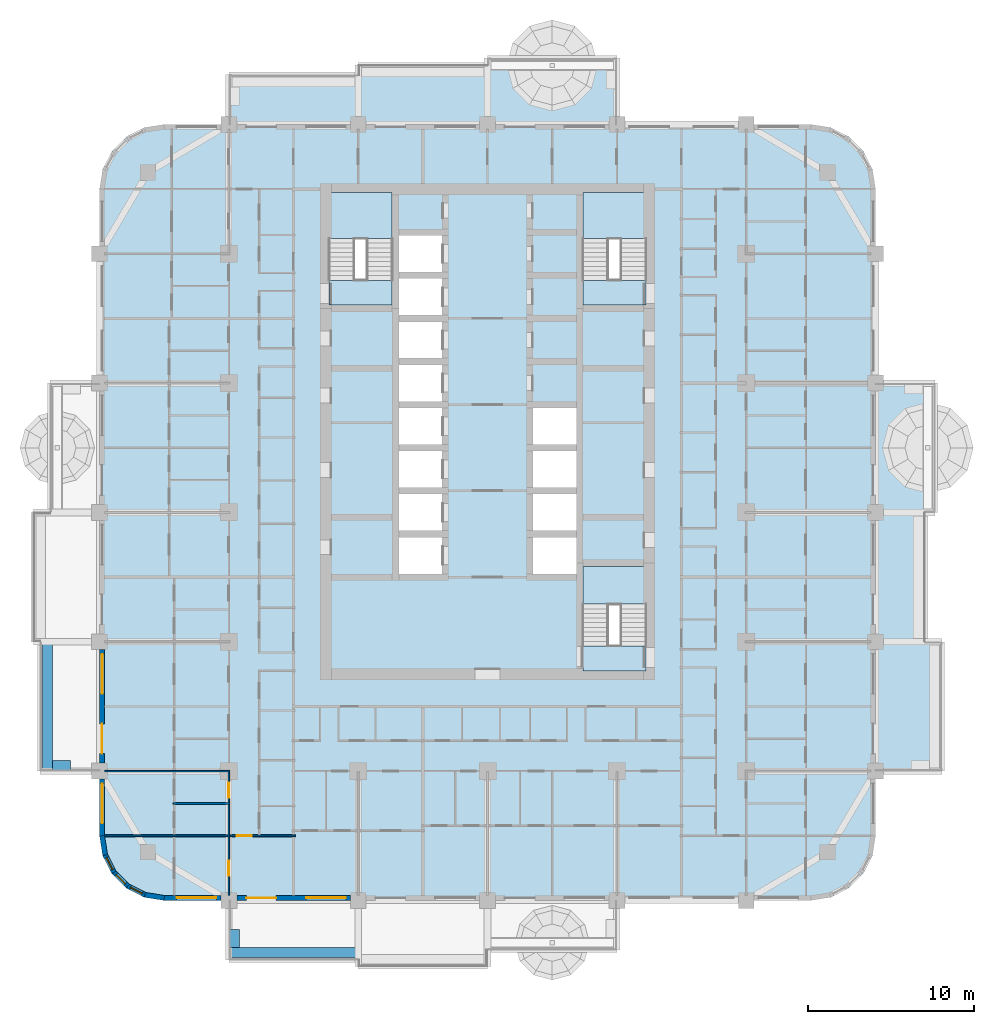
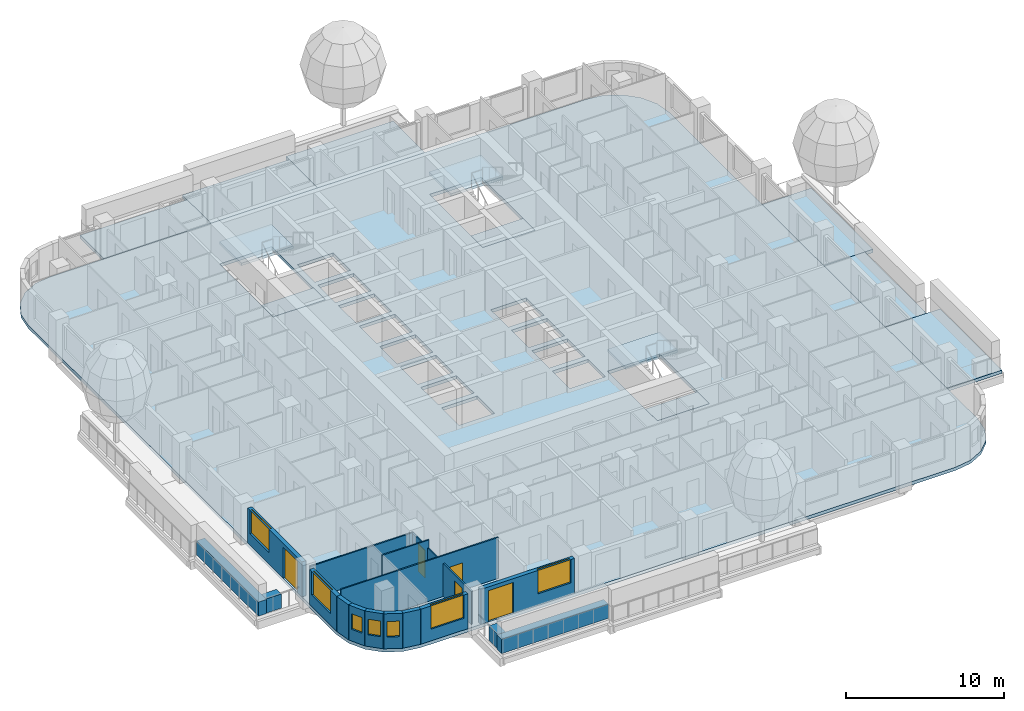
# One storey, part 2 of 18: 17 walls, 13 slabs, 7 windows, 5 doors, 12 openings, 3 elements without a shape of their own.
"""IFC4 building model written with IfcOpenShell, lengths in metres."""

import ifcopenshell
import ifcopenshell.guid

model = None  # the IFC model being written
_history = None  # IfcOwnerHistory: only IFC2X3 demands one
_inside = {}  # id of a spatial element -> (the spatial element, [elements in it])
_under = {}  # id of a project, library or spatial element -> (it, [spatial elements below it])
_declared = {}  # id of a project -> (the project, [libraries it declares])
_typed = {}  # id of a type object -> (the type object, [elements of that type])
_made_of = {}  # id of a material, layer set ... -> (it, [elements and type objects made of it])


def new_model(schema):
    """Start an empty IFC model of exactly this schema.

    Asked for "IFC4X3", IfcOpenShell would pick the latest addendum, in which some entities
    have other attributes; the version numbers below select the first issue.
    IFC2X3 requires an IfcOwnerHistory on every rooted entity: one is made here for all.
    """
    global model, _history
    if schema == "IFC4X3":
        model = ifcopenshell.file(schema_version=(4, 3, 0, 0))
    else:
        model = ifcopenshell.file(schema=schema)
    _inside.clear()
    _under.clear()
    _declared.clear()
    _typed.clear()
    _made_of.clear()
    _history = None
    if model.schema == "IFC2X3":
        org = make("IfcOrganization", Name="unknown")
        user = make(
            "IfcPersonAndOrganization",
            ThePerson=make("IfcPerson", FamilyName="unknown"),
            TheOrganization=org,
        )
        app = make(
            "IfcApplication",
            ApplicationDeveloper=org,
            Version="unknown",
            ApplicationFullName="unknown",
            ApplicationIdentifier="unknown",
        )
        _history = make(
            "IfcOwnerHistory",
            OwningUser=user,
            OwningApplication=app,
            ChangeAction="ADDED",
            CreationDate=0,
        )
    return model


def make(cls, **values):
    """One entity of the class cls with the attributes given. An attribute that is None is left unset."""
    return model.create_entity(
        cls, **{name: value for name, value in values.items() if value is not None}
    )


def rooted(cls, **values):
    """An entity with a GlobalId (a new one), such as an element, a storey or a relation."""
    return make(cls, GlobalId=ifcopenshell.guid.new(), OwnerHistory=_history, **values)


def si_unit(unit_type, name, prefix=None):
    """IfcSIUnit, for example si_unit("LENGTHUNIT", "METRE", prefix="MILLI")."""
    return make("IfcSIUnit", UnitType=unit_type, Prefix=prefix, Name=name)


def assignment(units):
    """IfcUnitAssignment: the units of a project."""
    return None if units is None else make("IfcUnitAssignment", Units=units)


def point(xyz):
    """IfcCartesianPoint."""
    return None if xyz is None else make("IfcCartesianPoint", Coordinates=xyz)


def direction(xyz):
    """IfcDirection."""
    return None if xyz is None else make("IfcDirection", DirectionRatios=xyz)


def frame(location, z_axis=None, x_axis=None):
    """IfcAxis2Placement3D, a coordinate frame: its origin and axes. An axis left out is left unset."""
    return make(
        "IfcAxis2Placement3D",
        Location=point(location),
        Axis=direction(z_axis),
        RefDirection=direction(x_axis),
    )


def frame_2d(location, x_axis=None):
    """IfcAxis2Placement2D, a coordinate frame in the plane: its origin and x axis."""
    return make(
        "IfcAxis2Placement2D", Location=point(location), RefDirection=direction(x_axis)
    )


def origin():
    """The frame at (0, 0, 0) with its axes left unset."""
    return frame((0.0, 0.0, 0.0))


def place(relative_to, where):
    """IfcLocalPlacement: puts the frame where relative to a parent placement (None: the world)."""
    return make(
        "IfcLocalPlacement", PlacementRelTo=relative_to, RelativePlacement=where
    )


def context(
    kind, dimensions, precision=None, world=None, true_north=None, identifier=None
):
    """IfcGeometricRepresentationContext, for example the 3D "Model" context."""
    return make(
        "IfcGeometricRepresentationContext",
        ContextIdentifier=identifier,
        ContextType=kind,
        CoordinateSpaceDimension=dimensions,
        Precision=precision,
        WorldCoordinateSystem=world,
        TrueNorth=true_north,
    )


def subcontext(parent, identifier, kind, view, scale=None):
    """IfcGeometricRepresentationSubContext, for example "Body" below "Model"."""
    return make(
        "IfcGeometricRepresentationSubContext",
        ContextIdentifier=identifier,
        ContextType=kind,
        ParentContext=parent,
        TargetScale=scale,
        TargetView=view,
    )


def project(units=None, contexts=None):
    """IfcProject with its units and contexts."""
    return rooted(
        "IfcProject",
        Name="project",
        RepresentationContexts=contexts,
        UnitsInContext=assignment(units),
    )


def spatial(cls, under=None, at=None, **own):
    """A site, building, storey or space (cls), placed at a placement, below another one or the project."""
    s = rooted(cls, ObjectPlacement=at, **own)
    if under is not None:
        _under.setdefault(under.id(), (under, []))[1].append(s)
    return s


def polyline(points):
    """IfcPolyline through the points."""
    return make("IfcPolyline", Points=[point(p) for p in points])


def profile(cls, at=None, kind="AREA", **sizes):
    """A parametric profile (cls). Its sizes go by their IFC names, for example OverallWidth=200.0."""
    return make(cls, ProfileType=kind, Position=at, **sizes)


def rectangle(**sizes):
    """IfcRectangleProfileDef."""
    return profile("IfcRectangleProfileDef", **sizes)


def outline(outer, holes=None, kind="AREA"):
    """IfcArbitraryClosedProfileDef: a profile drawn as a closed curve; with holes, ...WithVoids."""
    if holes is None:
        return make("IfcArbitraryClosedProfileDef", ProfileType=kind, OuterCurve=outer)
    return make(
        "IfcArbitraryProfileDefWithVoids",
        ProfileType=kind,
        OuterCurve=outer,
        InnerCurves=holes,
    )


def extrude(swept, where, along, depth):
    """IfcExtrudedAreaSolid: the profile swept, set in the frame where, extruded along a direction by depth."""
    return make(
        "IfcExtrudedAreaSolid",
        SweptArea=swept,
        Position=where,
        ExtrudedDirection=direction(along),
        Depth=depth,
    )


def shape(context_of_items, identifier, shape_type, items):
    """IfcShapeRepresentation: the items that make up one representation, for example the "Body"."""
    return make(
        "IfcShapeRepresentation",
        ContextOfItems=context_of_items,
        RepresentationIdentifier=identifier,
        RepresentationType=shape_type,
        Items=items,
    )


def material(Name=None, Category=None):
    """IfcMaterial."""
    return make("IfcMaterial", Name=Name, Category=Category)


def layer(
    of_material, thickness, ventilated=None, Name=None, Category=None, Priority=None
):
    """IfcMaterialLayer: one layer of a wall or slab, of a material (None: an air gap)."""
    return make(
        "IfcMaterialLayer",
        Material=of_material,
        LayerThickness=thickness,
        IsVentilated=ventilated,
        Name=Name,
        Category=Category,
        Priority=Priority,
    )


def layer_set(layers, Name=None):
    """IfcMaterialLayerSet."""
    return make("IfcMaterialLayerSet", MaterialLayers=layers, LayerSetName=Name)


def made_of(thing, what):
    """Note that an element or type object is made of a material, layer set ...; save() writes the relation."""
    if what is not None:
        _made_of.setdefault(what.id(), (what, []))[1].append(thing)
    return thing


def type_object(cls, material=None, **own):
    """A type object (cls), such as IfcWallType, which elements share."""
    return made_of(rooted(cls, **own), material)


def element(
    cls,
    number,
    at=None,
    inside=None,
    cuts=None,
    type_object=None,
    material=None,
    context=None,
    identifier="Body",
    shape_type=None,
    held_by="IfcProductDefinitionShape",
    body=None,
    shapes=None,
    **own,
):
    """One element of the class cls, such as IfcWall. Its Tag is "e" and its number.

    at: its placement. inside: the storey or other place that contains it. cuts: it is an
    opening in that element (IfcRelVoidsElement). A single representation is given by context,
    identifier, shape_type and body (its items); several are given by shapes. held_by: the class
    of the entity that holds the representations. save() writes the other relations.
    """
    e = rooted(cls, Tag="e%d" % number, ObjectPlacement=at, **own)
    if body is not None:
        shapes = [shape(context, identifier, shape_type, body)]
    if shapes is not None:
        e.Representation = make(held_by, Representations=shapes)
    if inside is not None:
        _inside.setdefault(inside.id(), (inside, []))[1].append(e)
    if cuts is not None:
        rooted(
            "IfcRelVoidsElement", RelatingBuildingElement=cuts, RelatedOpeningElement=e
        )
    if type_object is not None:
        _typed.setdefault(type_object.id(), (type_object, []))[1].append(e)
    return made_of(e, material)


def fill(opening, filler):
    """IfcRelFillsElement: the door or window that sits in an opening."""
    return rooted(
        "IfcRelFillsElement",
        RelatingOpeningElement=opening,
        RelatedBuildingElement=filler,
    )


def aggregate(whole, parts):
    """IfcRelAggregates: a whole, such as a stair, and the parts it consists of."""
    return rooted("IfcRelAggregates", RelatingObject=whole, RelatedObjects=parts)


def save(model, path):
    """Write the relations noted so far, then the file.

    IfcRelAggregates (storeys below a building ...), IfcRelContainedInSpatialStructure (elements
    in a storey), IfcRelDefinesByType, IfcRelAssociatesMaterial and IfcRelDeclares: one each for
    every whole, place, type object, material and project.
    """
    for whole, parts in _under.values():
        aggregate(whole, parts)
    for where, things in _inside.values():
        rooted(
            "IfcRelContainedInSpatialStructure",
            RelatedElements=things,
            RelatingStructure=where,
        )
    for kind, things in _typed.values():
        rooted("IfcRelDefinesByType", RelatedObjects=things, RelatingType=kind)
    for what, things in _made_of.values():
        rooted("IfcRelAssociatesMaterial", RelatedObjects=things, RelatingMaterial=what)
    for by, libraries in _declared.values():
        rooted("IfcRelDeclares", RelatingContext=by, RelatedDefinitions=libraries)
    model.write(path)


model = new_model("IFC4")

# Units and contexts
model_context = context("Model", 3, precision=1e-05, world=origin(), true_north=direction((0.0, 1.0)))
body_context = subcontext(model_context, "Body", "Model", "MODEL_VIEW")
ifc_project = project(units=[si_unit("LENGTHUNIT", "METRE"), si_unit("AREAUNIT", "SQUARE_METRE"), si_unit("VOLUMEUNIT", "CUBIC_METRE"), si_unit("PLANEANGLEUNIT", "RADIAN"), si_unit("MASSUNIT", "GRAM", prefix="KILO")], contexts=[model_context])

# Site, building, storey
site_placement = place(None, origin())
site = spatial("IfcSite", under=ifc_project, at=site_placement, CompositionType="ELEMENT")
building_placement = place(site_placement, origin())
building = spatial("IfcBuilding", under=site, at=building_placement, Name="Ludao Terraces", CompositionType="ELEMENT")
storey_placement = place(building_placement, frame((0.0, 0.0, 58.0)))
storey = spatial("IfcBuildingStorey", under=building, at=storey_placement, Name="L15", CompositionType="ELEMENT", Elevation=58.0)

# Slabs
ifc_material_1 = material(Name="Concrete C40", Category="concrete")
ifc_layer_1 = layer(ifc_material_1, 0.25)
ifc_layer_set_1 = layer_set([ifc_layer_1], Name="Balcony slab 250 C40")
slab_type_1 = type_object("IfcSlabType", Name="Balcony slab 250 C40", PredefinedType="USERDEFINED", material=ifc_layer_set_1)
slab_1_placement = place(storey_placement, frame((0.0, 0.0, -0.25)))
element("IfcSlab", 1, at=slab_1_placement, inside=storey, type_object=slab_type_1, Name="Balcony L15 E1", ObjectType="BALCONY", PredefinedType="USERDEFINED", context=body_context, shape_type="SweptSolid", body=[
    extrude(outline(polyline([(108.39990234375, 49.39990234375), (112.39990234375, 49.39990234375), (112.39990234375, 57.199951171875), (108.39990234375, 57.199951171875), (108.39990234375, 49.39990234375)])), origin(), (0.0, 0.0, 1.0), 0.25),
])
slab_2_placement = place(storey_placement, frame((0.0, 0.0, -0.25)))
element("IfcSlab", 2, at=slab_2_placement, inside=storey, type_object=slab_type_1, Name="Balcony L15 E2", ObjectType="BALCONY", PredefinedType="USERDEFINED", context=body_context, shape_type="SweptSolid", body=[
    extrude(outline(polyline([(108.39990234375, 57.199951171875), (111.39990234375, 57.199951171875), (111.39990234375, 65.0), (108.39990234375, 65.0), (108.39990234375, 57.199951171875)])), origin(), (0.0, 0.0, 1.0), 0.25),
])
slab_3_placement = place(storey_placement, frame((0.0, 0.0, -0.25)))
element("IfcSlab", 3, at=slab_3_placement, inside=storey, type_object=slab_type_1, Name="Balcony L15 E3", ObjectType="BALCONY", PredefinedType="USERDEFINED", context=body_context, shape_type="SweptSolid", body=[
    extrude(outline(polyline([(108.39990234375, 65.0), (112.0, 65.0), (112.0, 72.800048828125), (108.39990234375, 72.800048828125), (108.39990234375, 65.0)])), origin(), (0.0, 0.0, 1.0), 0.25),
])
slab_4_placement = place(storey_placement, frame((0.0, 0.0, -0.25)))
element("IfcSlab", 4, at=slab_4_placement, inside=storey, type_object=slab_type_1, Name="Balcony L15 N1", ObjectType="BALCONY", PredefinedType="USERDEFINED", context=body_context, shape_type="SweptSolid", body=[
    extrude(outline(polyline([(69.39990234375, 88.39990234375), (77.199951171875, 88.39990234375), (77.199951171875, 91.39990234375), (69.39990234375, 91.39990234375), (69.39990234375, 88.39990234375)])), origin(), (0.0, 0.0, 1.0), 0.25),
])
slab_5_placement = place(storey_placement, frame((0.0, 0.0, -0.25)))
element("IfcSlab", 5, at=slab_5_placement, inside=storey, type_object=slab_type_1, Name="Balcony L15 N2", ObjectType="BALCONY", PredefinedType="USERDEFINED", context=body_context, shape_type="SweptSolid", body=[
    extrude(outline(polyline([(77.199951171875, 88.39990234375), (85.0, 88.39990234375), (85.0, 92.0), (77.199951171875, 92.0), (77.199951171875, 88.39990234375)])), origin(), (0.0, 0.0, 1.0), 0.25),
])
slab_6_placement = place(storey_placement, frame((0.0, 0.0, -0.25)))
element("IfcSlab", 6, at=slab_6_placement, inside=storey, type_object=slab_type_1, Name="Balcony L15 N3", ObjectType="BALCONY", PredefinedType="USERDEFINED", context=body_context, shape_type="SweptSolid", body=[
    extrude(outline(polyline([(85.0, 88.39990234375), (92.800048828125, 88.39990234375), (92.800048828125, 92.39990234375), (85.0, 92.39990234375), (85.0, 88.39990234375)])), origin(), (0.0, 0.0, 1.0), 0.25),
])
ifc_layer_2 = layer(ifc_material_1, 0.25)
ifc_layer_set_2 = layer_set([ifc_layer_2], Name="Floor slab 250 C40")
slab_type_2 = type_object("IfcSlabType", Name="Floor slab 250 C40", PredefinedType="FLOOR", material=ifc_layer_set_2)
slab_7_placement = place(storey_placement, frame((0.0, 0.0, -0.25)))
element("IfcSlab", 7, at=slab_7_placement, inside=storey, type_object=slab_type_2, Name="Slab L15", PredefinedType="FLOOR", context=body_context, shape_type="SweptSolid", body=[
    extrude(outline(polyline([(104.5, 41.60009765625), (105.705078125, 41.790771484375), (106.79248046875, 42.3447265625), (107.6552734375, 43.20751953125), (108.209228515625, 44.294921875), (108.39990234375, 45.5), (108.39990234375, 84.5), (108.209228515625, 85.705078125), (107.6552734375, 86.79248046875), (106.79248046875, 87.6552734375), (105.705078125, 88.209228515625), (104.5, 88.39990234375), (65.5, 88.39990234375), (64.294921875, 88.209228515625), (63.20751953125, 87.6552734375), (62.3447265625, 86.79248046875), (61.790771484375, 85.705078125), (61.60009765625, 84.5), (61.60009765625, 45.5), (61.790771484375, 44.294921875), (62.3447265625, 43.20751953125), (63.20751953125, 42.3447265625), (64.294921875, 41.790771484375), (65.5, 41.60009765625), (104.5, 41.60009765625)]), holes=[polyline([(79.64990234375, 61.300048828125), (82.25, 61.300048828125), (82.25, 63.5), (79.64990234375, 63.5), (79.64990234375, 61.300048828125)]), polyline([(79.64990234375, 63.89990234375), (82.25, 63.89990234375), (82.25, 66.10009765625), (79.64990234375, 66.10009765625), (79.64990234375, 63.89990234375)]), polyline([(79.64990234375, 66.5), (82.25, 66.5), (82.25, 68.699951171875), (79.64990234375, 68.699951171875), (79.64990234375, 66.5)]), polyline([(79.64990234375, 69.10009765625), (82.25, 69.10009765625), (82.25, 71.300048828125), (79.64990234375, 71.300048828125), (79.64990234375, 69.10009765625)]), polyline([(79.64990234375, 71.699951171875), (82.25, 71.699951171875), (82.25, 73.89990234375), (79.64990234375, 73.89990234375), (79.64990234375, 71.699951171875)]), polyline([(79.64990234375, 74.300048828125), (82.25, 74.300048828125), (82.25, 76.5), (79.64990234375, 76.5), (79.64990234375, 74.300048828125)]), polyline([(79.64990234375, 76.89990234375), (82.25, 76.89990234375), (82.25, 79.10009765625), (79.64990234375, 79.10009765625), (79.64990234375, 76.89990234375)]), polyline([(79.64990234375, 79.5), (82.25, 79.5), (82.25, 81.699951171875), (79.64990234375, 81.699951171875), (79.64990234375, 79.5)]), polyline([(87.75, 61.300048828125), (90.35009765625, 61.300048828125), (90.35009765625, 63.5), (87.75, 63.5), (87.75, 61.300048828125)]), polyline([(87.75, 63.89990234375), (90.35009765625, 63.89990234375), (90.35009765625, 66.10009765625), (87.75, 66.10009765625), (87.75, 63.89990234375)]), polyline([(87.75, 66.5), (90.35009765625, 66.5), (90.35009765625, 68.699951171875), (87.75, 68.699951171875), (87.75, 66.5)]), polyline([(87.75, 69.10009765625), (90.35009765625, 69.10009765625), (90.35009765625, 71.300048828125), (87.75, 71.300048828125), (87.75, 69.10009765625)]), polyline([(75.449951171875, 77.5), (79.25, 77.5), (79.25, 84.239990234375), (75.449951171875, 84.239990234375), (75.449951171875, 77.5)]), polyline([(90.75, 77.5), (94.550048828125, 77.5), (94.550048828125, 84.239990234375), (90.75, 84.239990234375), (90.75, 77.5)]), polyline([(90.75, 55.449951171875), (94.550048828125, 55.449951171875), (94.550048828125, 61.75), (90.75, 61.75), (90.75, 55.449951171875)])]), origin(), (0.0, 0.0, 1.0), 0.25),
])

# Stair, slabs
stair_type = type_object("IfcStairType", Name="INT Stair", PredefinedType="HALF_TURN_STAIR", material=ifc_material_1)
stair_1_placement = place(storey_placement, origin())
stair_1 = element("IfcStair", 8, at=stair_1_placement, inside=storey, type_object=stair_type, Name="EXIT STAIR 1", PredefinedType="HALF_TURN_STAIR")
ifc_layer_3 = layer(ifc_material_1, 0.199951171875)
ifc_layer_set_3 = layer_set([ifc_layer_3], Name="INT Stair landing 200")
slab_type_3 = type_object("IfcSlabType", Name="INT Stair landing 200", PredefinedType="LANDING", material=ifc_layer_set_3)
slab_8_placement = place(storey_placement, frame((0.0, 0.0, 1.5)))
slab_8 = element("IfcSlab", 9, at=slab_8_placement, type_object=slab_type_3, Name="ST1 landing 1", PredefinedType="LANDING", context=body_context, shape_type="SweptSolid", body=[
    extrude(outline(polyline([(75.449951171875, 81.52001953125), (79.25, 81.52001953125), (79.25, 84.300048828125), (75.449951171875, 84.300048828125), (75.449951171875, 81.52001953125)])), origin(), (0.0, 0.0, 1.0), 0.199951171875),
])
slab_9_placement = place(storey_placement, frame((0.0, 0.0, -0.199951171875)))
slab_9 = element("IfcSlab", 10, at=slab_9_placement, type_object=slab_type_3, Name="ST1 landing 2", PredefinedType="LANDING", context=body_context, shape_type="SweptSolid", body=[
    extrude(outline(polyline([(75.449951171875, 77.5), (79.25, 77.5), (79.25, 79.0), (75.449951171875, 79.0), (75.449951171875, 77.5)])), origin(), (0.0, 0.0, 1.0), 0.199951171875),
])
aggregate(stair_1, [slab_8, slab_9])

stair_2_placement = place(storey_placement, origin())
stair_2 = element("IfcStair", 11, at=stair_2_placement, inside=storey, type_object=stair_type, Name="EXIT STAIR 2", PredefinedType="HALF_TURN_STAIR")
slab_10_placement = place(storey_placement, frame((0.0, 0.0, 1.5)))
slab_10 = element("IfcSlab", 12, at=slab_10_placement, type_object=slab_type_3, Name="ST2 landing 1", PredefinedType="LANDING", context=body_context, shape_type="SweptSolid", body=[
    extrude(outline(polyline([(90.75, 81.52001953125), (94.550048828125, 81.52001953125), (94.550048828125, 84.300048828125), (90.75, 84.300048828125), (90.75, 81.52001953125)])), origin(), (0.0, 0.0, 1.0), 0.199951171875),
])
slab_11_placement = place(storey_placement, frame((0.0, 0.0, -0.199951171875)))
slab_11 = element("IfcSlab", 13, at=slab_11_placement, type_object=slab_type_3, Name="ST2 landing 2", PredefinedType="LANDING", context=body_context, shape_type="SweptSolid", body=[
    extrude(outline(polyline([(90.75, 77.5), (94.550048828125, 77.5), (94.550048828125, 79.0), (90.75, 79.0), (90.75, 77.5)])), origin(), (0.0, 0.0, 1.0), 0.199951171875),
])
aggregate(stair_2, [slab_10, slab_11])

stair_3_placement = place(storey_placement, origin())
stair_3 = element("IfcStair", 14, at=stair_3_placement, inside=storey, type_object=stair_type, Name="EXIT STAIR 3", PredefinedType="HALF_TURN_STAIR")
slab_12_placement = place(storey_placement, frame((0.0, 0.0, 1.5)))
slab_12 = element("IfcSlab", 15, at=slab_12_placement, type_object=slab_type_3, Name="ST3 landing 1", PredefinedType="LANDING", context=body_context, shape_type="SweptSolid", body=[
    extrude(outline(polyline([(90.75, 59.469970703125), (94.550048828125, 59.469970703125), (94.550048828125, 61.75), (90.75, 61.75), (90.75, 59.469970703125)])), origin(), (0.0, 0.0, 1.0), 0.199951171875),
])
slab_13_placement = place(storey_placement, frame((0.0, 0.0, -0.199951171875)))
slab_13 = element("IfcSlab", 16, at=slab_13_placement, type_object=slab_type_3, Name="ST3 landing 2", PredefinedType="LANDING", context=body_context, shape_type="SweptSolid", body=[
    extrude(outline(polyline([(90.75, 55.449951171875), (94.550048828125, 55.449951171875), (94.550048828125, 56.949951171875), (90.75, 56.949951171875), (90.75, 55.449951171875)])), origin(), (0.0, 0.0, 1.0), 0.199951171875),
])
aggregate(stair_3, [slab_12, slab_13])

# Walls
ifc_layer_4 = layer(ifc_material_1, 0.60009765625)
ifc_layer_set_4 = layer_set([ifc_layer_4], Name="ENV Planter trough 600")
wall_type_1 = type_object("IfcWallType", Name="ENV Planter trough 600", PredefinedType="USERDEFINED", material=ifc_layer_set_4)
wall_1_placement = place(storey_placement, frame((69.39990234375, 38.449951171875, 0.0), z_axis=(0.0, 0.0, 1.0), x_axis=(1.0, 0.0, 0.0)))
element("IfcWall", 17, at=wall_1_placement, inside=storey, type_object=wall_type_1, Name="PL-L15-S1", ObjectType="PLANTER", PredefinedType="USERDEFINED", context=body_context, shape_type="SweptSolid", body=[
    extrude(rectangle(XDim=7.800048828125, YDim=0.60009765625, at=frame_2d((3.89990234375, 0.0))), origin(), (0.0, 0.0, 1.0), 1.10009765625),
])
wall_2_placement = place(storey_placement, frame((69.75, 38.75, 0.0), z_axis=(0.0, 0.0, 1.0), x_axis=(0.0, 1.0, 0.0)))
element("IfcWall", 18, at=wall_2_placement, inside=storey, type_object=wall_type_1, Name="PL-L15-S1-SA", ObjectType="PLANTER", PredefinedType="USERDEFINED", context=body_context, shape_type="SweptSolid", body=[
    extrude(rectangle(XDim=1.10009765625, YDim=0.60009765625, at=frame_2d((0.550048828125, 0.0))), origin(), (0.0, 0.0, 1.0), 1.10009765625),
])
wall_3_placement = place(storey_placement, frame((58.449951171875, 49.39990234375, 0.0), z_axis=(0.0, 0.0, 1.0), x_axis=(0.0, 1.0, 0.0)))
element("IfcWall", 19, at=wall_3_placement, inside=storey, type_object=wall_type_1, Name="PL-L15-W1", ObjectType="PLANTER", PredefinedType="USERDEFINED", context=body_context, shape_type="SweptSolid", body=[
    extrude(rectangle(XDim=7.800048828125, YDim=0.60009765625, at=frame_2d((3.89990234375, 0.0))), origin(), (0.0, 0.0, 1.0), 1.10009765625),
])
wall_4_placement = place(storey_placement, frame((58.75, 49.75, 0.0), z_axis=(0.0, 0.0, 1.0), x_axis=(1.0, 0.0, 0.0)))
element("IfcWall", 20, at=wall_4_placement, inside=storey, type_object=wall_type_1, Name="PL-L15-W1-SA", ObjectType="PLANTER", PredefinedType="USERDEFINED", context=body_context, shape_type="SweptSolid", body=[
    extrude(rectangle(XDim=1.10009765625, YDim=0.60009765625, at=frame_2d((0.550048828125, 0.0))), origin(), (0.0, 0.0, 1.0), 1.10009765625),
])

# Wall, opening, window
ifc_material_2 = material(Name="Granite cladding", Category="masonry")
ifc_layer_5 = layer(ifc_material_2, 0.0400390625, Category="stone")
ifc_material_3 = material(Name="Mineral wool")
ifc_layer_6 = layer(ifc_material_3, 0.06005859375)
ifc_layer_7 = layer(ifc_material_1, 0.199951171875, Category="concrete")
ifc_layer_set_5 = layer_set([ifc_layer_5, ifc_layer_6, ifc_layer_7], Name="ENV Stone-clad wall 300")
wall_type_2 = type_object("IfcWallType", Name="ENV Stone-clad wall 300", PredefinedType="SOLIDWALL", material=ifc_layer_set_5)
wall_5_placement = place(storey_placement, frame((65.5, 41.75, 0.0), z_axis=(0.0, 0.0, 1.0), x_axis=(1.0, 0.0, 0.0)))
wall_5 = element("IfcWall", 21, at=wall_5_placement, inside=storey, type_object=wall_type_2, Name="EW-L15-S1", PredefinedType="SOLIDWALL", context=body_context, shape_type="SweptSolid", body=[
    extrude(rectangle(XDim=3.425048828125, YDim=0.300048828125, at=frame_2d((1.71240234375, 0.0))), origin(), (0.0, 0.0, 1.0), 2.699951171875),
])
opening_1_placement = place(wall_5_placement, frame((0.75, 0.0, 0.89990234375)))
opening_1 = element("IfcOpeningElement", 22, at=opening_1_placement, cuts=wall_5, Name="Opening W1", PredefinedType="OPENING", context=body_context, shape_type="SweptSolid", body=[
    extrude(rectangle(XDim=2.39990234375, YDim=1.800048828125, at=frame_2d((1.199951171875, 0.89990234375))), frame((0.0, 0.16015625, 0.0), z_axis=(0.0, -1.0, 0.0), x_axis=(1.0, 0.0, 0.0)), (0.0, 0.0, 1.0), 0.320068359375),
])
ifc_material_4 = material(Name="Clear glass in aluminium frame", Category="aluminium")
ifc_layer_8 = layer(ifc_material_4, 0.06005859375)
ifc_layer_set_6 = layer_set([ifc_layer_8], Name="ENV Window W1 2400x1800")
window_type_1 = type_object("IfcWindowType", Name="ENV Window W1 2400x1800", PartitioningType="DOUBLE_PANEL_VERTICAL", PredefinedType="WINDOW", material=ifc_layer_set_6)
window_1_placement = place(opening_1_placement, origin())
window_1 = element("IfcWindow", 23, at=window_1_placement, inside=storey, type_object=window_type_1, Name="W-L15-S1-1", OverallHeight=1.800048828125, OverallWidth=2.39990234375, PartitioningType="DOUBLE_PANEL_VERTICAL", PredefinedType="WINDOW", context=body_context, shape_type="SweptSolid", body=[
    extrude(rectangle(XDim=2.39990234375, YDim=1.800048828125, at=frame_2d((1.199951171875, 0.89990234375))), frame((0.0, 0.030029296875, 0.0), z_axis=(0.0, -1.0, 0.0), x_axis=(1.0, 0.0, 0.0)), (0.0, 0.0, 1.0), 0.06005859375),
])
fill(opening_1, window_1)

# Wall, openings, door, window
wall_6_placement = place(storey_placement, frame((69.875, 41.75, 0.0), z_axis=(0.0, 0.0, 1.0), x_axis=(1.0, 0.0, 0.0)))
wall_6 = element("IfcWall", 24, at=wall_6_placement, inside=storey, type_object=wall_type_2, Name="EW-L15-S2", PredefinedType="SOLIDWALL", context=body_context, shape_type="SweptSolid", body=[
    extrude(rectangle(XDim=6.85009765625, YDim=0.300048828125, at=frame_2d((3.425048828125, 0.0))), origin(), (0.0, 0.0, 1.0), 2.699951171875),
])
opening_2_placement = place(wall_6_placement, frame((0.574951171875, 0.0, 0.0)))
opening_2 = element("IfcOpeningElement", 25, at=opening_2_placement, cuts=wall_6, Name="Opening BD", PredefinedType="OPENING", context=body_context, shape_type="SweptSolid", body=[
    extrude(rectangle(XDim=1.800048828125, YDim=2.39990234375, at=frame_2d((0.89990234375, 1.199951171875))), frame((0.0, 0.16015625, 0.0), z_axis=(0.0, -1.0, 0.0), x_axis=(1.0, 0.0, 0.0)), (0.0, 0.0, 1.0), 0.320068359375),
])
opening_3_placement = place(wall_6_placement, frame((4.175048828125, 0.0, 0.89990234375)))
opening_3 = element("IfcOpeningElement", 26, at=opening_3_placement, cuts=wall_6, Name="Opening W1", PredefinedType="OPENING", context=body_context, shape_type="SweptSolid", body=[
    extrude(rectangle(XDim=2.39990234375, YDim=1.800048828125, at=frame_2d((1.199951171875, 0.89990234375))), frame((0.0, 0.16015625, 0.0), z_axis=(0.0, -1.0, 0.0), x_axis=(1.0, 0.0, 0.0)), (0.0, 0.0, 1.0), 0.320068359375),
])
ifc_material_5 = material(Name="Aluminium glazed door", Category="aluminium")
ifc_layer_9 = layer(ifc_material_5, 0.06005859375)
ifc_layer_set_7 = layer_set([ifc_layer_9], Name="ENV Balcony door BD 1800x2400")
door_type_1 = type_object("IfcDoorType", Name="ENV Balcony door BD 1800x2400", OperationType="DOUBLE_DOOR_SINGLE_SWING", PredefinedType="DOOR", material=ifc_layer_set_7)
door_1_placement = place(opening_2_placement, origin())
door_1 = element("IfcDoor", 27, at=door_1_placement, inside=storey, type_object=door_type_1, Name="BD-L15-S2-1", OperationType="DOUBLE_DOOR_SINGLE_SWING", OverallHeight=2.39990234375, OverallWidth=1.800048828125, PredefinedType="DOOR", context=body_context, shape_type="SweptSolid", body=[
    extrude(rectangle(XDim=1.800048828125, YDim=2.39990234375, at=frame_2d((0.89990234375, 1.199951171875))), frame((0.0, 0.02490234375, 0.0), z_axis=(0.0, -1.0, 0.0), x_axis=(1.0, 0.0, 0.0)), (0.0, 0.0, 1.0), 0.050048828125),
])
fill(opening_2, door_1)
window_2_placement = place(opening_3_placement, origin())
window_2 = element("IfcWindow", 28, at=window_2_placement, inside=storey, type_object=window_type_1, Name="W-L15-S2-2", OverallHeight=1.800048828125, OverallWidth=2.39990234375, PartitioningType="DOUBLE_PANEL_VERTICAL", PredefinedType="WINDOW", context=body_context, shape_type="SweptSolid", body=[
    extrude(rectangle(XDim=2.39990234375, YDim=1.800048828125, at=frame_2d((1.199951171875, 0.89990234375))), frame((0.0, 0.030029296875, 0.0), z_axis=(0.0, -1.0, 0.0), x_axis=(1.0, 0.0, 0.0)), (0.0, 0.0, 1.0), 0.06005859375),
])
fill(opening_3, window_2)

# Wall, opening, window
wall_7_placement = place(storey_placement, frame((61.75, 45.5, 0.0), z_axis=(0.0, 0.0, 1.0), x_axis=(0.0, 1.0, 0.0)))
wall_7 = element("IfcWall", 29, at=wall_7_placement, inside=storey, type_object=wall_type_2, Name="EW-L15-W1", PredefinedType="SOLIDWALL", context=body_context, shape_type="SweptSolid", body=[
    extrude(rectangle(XDim=3.425048828125, YDim=0.300048828125, at=frame_2d((1.71240234375, 0.0))), origin(), (0.0, 0.0, 1.0), 2.699951171875),
])
opening_4_placement = place(wall_7_placement, frame((0.75, 0.0, 0.89990234375)))
opening_4 = element("IfcOpeningElement", 30, at=opening_4_placement, cuts=wall_7, Name="Opening W1", PredefinedType="OPENING", context=body_context, shape_type="SweptSolid", body=[
    extrude(rectangle(XDim=2.39990234375, YDim=1.800048828125, at=frame_2d((1.199951171875, 0.89990234375))), frame((0.0, 0.16015625, 0.0), z_axis=(0.0, -1.0, 0.0), x_axis=(1.0, 0.0, 0.0)), (0.0, 0.0, 1.0), 0.320068359375),
])
window_3_placement = place(opening_4_placement, origin())
window_3 = element("IfcWindow", 31, at=window_3_placement, inside=storey, type_object=window_type_1, Name="W-L15-W1-1", OverallHeight=1.800048828125, OverallWidth=2.39990234375, PartitioningType="DOUBLE_PANEL_VERTICAL", PredefinedType="WINDOW", context=body_context, shape_type="SweptSolid", body=[
    extrude(rectangle(XDim=2.39990234375, YDim=1.800048828125, at=frame_2d((1.199951171875, 0.89990234375))), frame((0.0, 0.030029296875, 0.0), z_axis=(0.0, -1.0, 0.0), x_axis=(1.0, 0.0, 0.0)), (0.0, 0.0, 1.0), 0.06005859375),
])
fill(opening_4, window_3)

# Wall, openings, door, window
wall_8_placement = place(storey_placement, frame((61.75, 49.875, 0.0), z_axis=(0.0, 0.0, 1.0), x_axis=(0.0, 1.0, 0.0)))
wall_8 = element("IfcWall", 32, at=wall_8_placement, inside=storey, type_object=wall_type_2, Name="EW-L15-W2", PredefinedType="SOLIDWALL", context=body_context, shape_type="SweptSolid", body=[
    extrude(rectangle(XDim=6.85009765625, YDim=0.300048828125, at=frame_2d((3.425048828125, 0.0))), origin(), (0.0, 0.0, 1.0), 2.699951171875),
])
opening_5_placement = place(wall_8_placement, frame((0.574951171875, 0.0, 0.0)))
opening_5 = element("IfcOpeningElement", 33, at=opening_5_placement, cuts=wall_8, Name="Opening BD", PredefinedType="OPENING", context=body_context, shape_type="SweptSolid", body=[
    extrude(rectangle(XDim=1.800048828125, YDim=2.39990234375, at=frame_2d((0.89990234375, 1.199951171875))), frame((0.0, 0.16015625, 0.0), z_axis=(0.0, -1.0, 0.0), x_axis=(1.0, 0.0, 0.0)), (0.0, 0.0, 1.0), 0.320068359375),
])
opening_6_placement = place(wall_8_placement, frame((4.175048828125, 0.0, 0.89990234375)))
opening_6 = element("IfcOpeningElement", 34, at=opening_6_placement, cuts=wall_8, Name="Opening W1", PredefinedType="OPENING", context=body_context, shape_type="SweptSolid", body=[
    extrude(rectangle(XDim=2.39990234375, YDim=1.800048828125, at=frame_2d((1.199951171875, 0.89990234375))), frame((0.0, 0.16015625, 0.0), z_axis=(0.0, -1.0, 0.0), x_axis=(1.0, 0.0, 0.0)), (0.0, 0.0, 1.0), 0.320068359375),
])
door_2_placement = place(opening_5_placement, origin())
door_2 = element("IfcDoor", 35, at=door_2_placement, inside=storey, type_object=door_type_1, Name="BD-L15-W2-1", OperationType="DOUBLE_DOOR_SINGLE_SWING", OverallHeight=2.39990234375, OverallWidth=1.800048828125, PredefinedType="DOOR", context=body_context, shape_type="SweptSolid", body=[
    extrude(rectangle(XDim=1.800048828125, YDim=2.39990234375, at=frame_2d((0.89990234375, 1.199951171875))), frame((0.0, 0.02490234375, 0.0), z_axis=(0.0, -1.0, 0.0), x_axis=(1.0, 0.0, 0.0)), (0.0, 0.0, 1.0), 0.050048828125),
])
fill(opening_5, door_2)
window_4_placement = place(opening_6_placement, origin())
window_4 = element("IfcWindow", 36, at=window_4_placement, inside=storey, type_object=window_type_1, Name="W-L15-W2-2", OverallHeight=1.800048828125, OverallWidth=2.39990234375, PartitioningType="DOUBLE_PANEL_VERTICAL", PredefinedType="WINDOW", context=body_context, shape_type="SweptSolid", body=[
    extrude(rectangle(XDim=2.39990234375, YDim=1.800048828125, at=frame_2d((1.199951171875, 0.89990234375))), frame((0.0, 0.030029296875, 0.0), z_axis=(0.0, -1.0, 0.0), x_axis=(1.0, 0.0, 0.0)), (0.0, 0.0, 1.0), 0.06005859375),
])
fill(opening_6, window_4)

# Wall
wall_9_placement = place(storey_placement, frame((61.75, 45.5, 0.0), z_axis=(0.0, 0.0, 1.0), x_axis=(0.156496880861, -0.987678452879, 0.0)))
element("IfcWall", 37, at=wall_9_placement, inside=storey, type_object=wall_type_2, Name="EW-L15-SW1", PredefinedType="SOLIDWALL", context=body_context, shape_type="SweptSolid", body=[
    extrude(rectangle(XDim=1.173095703125, YDim=0.300048828125, at=frame_2d((0.58642578125, 0.0))), origin(), (0.0, 0.0, 1.0), 2.699951171875),
])

# Wall, opening, window
wall_10_placement = place(storey_placement, frame((61.93359375, 44.34130859375, 0.0), z_axis=(0.0, 0.0, 1.0), x_axis=(0.454025524128, -0.890988677504, 0.0)))
wall_10 = element("IfcWall", 38, at=wall_10_placement, inside=storey, type_object=wall_type_2, Name="EW-L15-SW2", PredefinedType="SOLIDWALL", context=body_context, shape_type="SweptSolid", body=[
    extrude(rectangle(XDim=1.17333984375, YDim=0.300048828125, at=frame_2d((0.586669921875, 0.0))), origin(), (0.0, 0.0, 1.0), 2.699951171875),
])
opening_7_placement = place(wall_10_placement, frame((0.1865234375, 0.0, 0.89990234375)))
opening_7 = element("IfcOpeningElement", 39, at=opening_7_placement, cuts=wall_10, Name="Opening W3", PredefinedType="OPENING", context=body_context, shape_type="SweptSolid", body=[
    extrude(rectangle(XDim=0.800048828125, YDim=1.199951171875, at=frame_2d((0.39990234375, 0.60009765625))), frame((0.0, 0.16015625, 0.0), z_axis=(0.0, -1.0, 0.0), x_axis=(1.0, 0.0, 0.0)), (0.0, 0.0, 1.0), 0.320068359375),
])
ifc_layer_10 = layer(ifc_material_4, 0.06005859375)
ifc_layer_set_8 = layer_set([ifc_layer_10], Name="ENV Window W3 800x1200")
window_type_2 = type_object("IfcWindowType", Name="ENV Window W3 800x1200", PartitioningType="SINGLE_PANEL", PredefinedType="WINDOW", material=ifc_layer_set_8)
window_5_placement = place(opening_7_placement, origin())
window_5 = element("IfcWindow", 40, at=window_5_placement, inside=storey, type_object=window_type_2, Name="W-L15-SW2", OverallHeight=1.199951171875, OverallWidth=0.800048828125, PartitioningType="SINGLE_PANEL", PredefinedType="WINDOW", context=body_context, shape_type="SweptSolid", body=[
    extrude(rectangle(XDim=0.800048828125, YDim=1.199951171875, at=frame_2d((0.39990234375, 0.60009765625))), frame((0.0, 0.030029296875, 0.0), z_axis=(0.0, -1.0, 0.0), x_axis=(1.0, 0.0, 0.0)), (0.0, 0.0, 1.0), 0.06005859375),
])
fill(opening_7, window_5)

wall_11_placement = place(storey_placement, frame((62.46630859375, 43.2958984375, 0.0), z_axis=(0.0, 0.0, 1.0), x_axis=(0.707106781187, -0.707106781187, 0.0)))
wall_11 = element("IfcWall", 41, at=wall_11_placement, inside=storey, type_object=wall_type_2, Name="EW-L15-SW3", PredefinedType="SOLIDWALL", context=body_context, shape_type="SweptSolid", body=[
    extrude(rectangle(XDim=1.173095703125, YDim=0.300048828125, at=frame_2d((0.58642578125, 0.0))), origin(), (0.0, 0.0, 1.0), 2.699951171875),
])
opening_8_placement = place(wall_11_placement, frame((0.1865234375, 0.0, 0.89990234375)))
opening_8 = element("IfcOpeningElement", 42, at=opening_8_placement, cuts=wall_11, Name="Opening W3", PredefinedType="OPENING", context=body_context, shape_type="SweptSolid", body=[
    extrude(rectangle(XDim=0.800048828125, YDim=1.199951171875, at=frame_2d((0.39990234375, 0.60009765625))), frame((0.0, 0.16015625, 0.0), z_axis=(0.0, -1.0, 0.0), x_axis=(1.0, 0.0, 0.0)), (0.0, 0.0, 1.0), 0.320068359375),
])
window_6_placement = place(opening_8_placement, origin())
window_6 = element("IfcWindow", 43, at=window_6_placement, inside=storey, type_object=window_type_2, Name="W-L15-SW3", OverallHeight=1.199951171875, OverallWidth=0.800048828125, PartitioningType="SINGLE_PANEL", PredefinedType="WINDOW", context=body_context, shape_type="SweptSolid", body=[
    extrude(rectangle(XDim=0.800048828125, YDim=1.199951171875, at=frame_2d((0.39990234375, 0.60009765625))), frame((0.0, 0.030029296875, 0.0), z_axis=(0.0, -1.0, 0.0), x_axis=(1.0, 0.0, 0.0)), (0.0, 0.0, 1.0), 0.06005859375),
])
fill(opening_8, window_6)

wall_12_placement = place(storey_placement, frame((63.2958984375, 42.46630859375, 0.0), z_axis=(0.0, 0.0, 1.0), x_axis=(0.890988677504, -0.454025524128, 0.0)))
wall_12 = element("IfcWall", 44, at=wall_12_placement, inside=storey, type_object=wall_type_2, Name="EW-L15-SW4", PredefinedType="SOLIDWALL", context=body_context, shape_type="SweptSolid", body=[
    extrude(rectangle(XDim=1.17333984375, YDim=0.300048828125, at=frame_2d((0.586669921875, 0.0))), origin(), (0.0, 0.0, 1.0), 2.699951171875),
])
opening_9_placement = place(wall_12_placement, frame((0.1865234375, 0.0, 0.89990234375)))
opening_9 = element("IfcOpeningElement", 45, at=opening_9_placement, cuts=wall_12, Name="Opening W3", PredefinedType="OPENING", context=body_context, shape_type="SweptSolid", body=[
    extrude(rectangle(XDim=0.800048828125, YDim=1.199951171875, at=frame_2d((0.39990234375, 0.60009765625))), frame((0.0, 0.16015625, 0.0), z_axis=(0.0, -1.0, 0.0), x_axis=(1.0, 0.0, 0.0)), (0.0, 0.0, 1.0), 0.320068359375),
])
window_7_placement = place(opening_9_placement, origin())
window_7 = element("IfcWindow", 46, at=window_7_placement, inside=storey, type_object=window_type_2, Name="W-L15-SW4", OverallHeight=1.199951171875, OverallWidth=0.800048828125, PartitioningType="SINGLE_PANEL", PredefinedType="WINDOW", context=body_context, shape_type="SweptSolid", body=[
    extrude(rectangle(XDim=0.800048828125, YDim=1.199951171875, at=frame_2d((0.39990234375, 0.60009765625))), frame((0.0, 0.030029296875, 0.0), z_axis=(0.0, -1.0, 0.0), x_axis=(1.0, 0.0, 0.0)), (0.0, 0.0, 1.0), 0.06005859375),
])
fill(opening_9, window_7)

# Wall
wall_13_placement = place(storey_placement, frame((64.34130859375, 41.93359375, 0.0), z_axis=(0.0, 0.0, 1.0), x_axis=(0.987678452879, -0.156496880861, 0.0)))
element("IfcWall", 47, at=wall_13_placement, inside=storey, type_object=wall_type_2, Name="EW-L15-SW5", PredefinedType="SOLIDWALL", context=body_context, shape_type="SweptSolid", body=[
    extrude(rectangle(XDim=1.173095703125, YDim=0.300048828125, at=frame_2d((0.58642578125, 0.0))), origin(), (0.0, 0.0, 1.0), 2.699951171875),
])

# Wall, opening, door
ifc_material_6 = material(Name="Gypsum plasterboard", Category="gypsum")
ifc_layer_11 = layer(ifc_material_6, 0.012451171875, Category="gypsum")
ifc_layer_12 = layer(ifc_material_3, 0.06005859375, Name="insulation")
ifc_material_7 = material(Name="Steel Q235", Category="steel")
ifc_layer_13 = layer(ifc_material_7, 0.014892578125, Name="stud")
ifc_layer_14 = layer(ifc_material_6, 0.012451171875, Category="gypsum")
ifc_layer_set_9 = layer_set([ifc_layer_11, ifc_layer_12, ifc_layer_13, ifc_layer_14], Name="INT Partition 100")
wall_type_3 = type_object("IfcWallType", Name="INT Partition 100", PredefinedType="PARTITIONING", material=ifc_layer_set_9)
wall_14_placement = place(storey_placement, frame((61.900146484375, 45.5, 0.0), z_axis=(0.0, 0.0, 1.0), x_axis=(1.0, 0.0, 0.0)))
wall_14 = element("IfcWall", 48, at=wall_14_placement, inside=storey, type_object=wall_type_3, Name="PW-L15-PW000", PredefinedType="PARTITIONING", context=body_context, shape_type="SweptSolid", body=[
    extrude(rectangle(XDim=11.5, YDim=0.10009765625, at=frame_2d((5.75, 0.0))), origin(), (0.0, 0.0, 1.0), 3.14990234375),
])
opening_10_placement = place(wall_14_placement, frame((7.965087890625, 0.0, 0.0)))
opening_10 = element("IfcOpeningElement", 49, at=opening_10_placement, cuts=wall_14, Name="Opening R04-005", PredefinedType="OPENING", context=body_context, shape_type="SweptSolid", body=[
    extrude(rectangle(XDim=0.89990234375, YDim=2.10009765625, at=frame_2d((0.449951171875, 1.050048828125))), frame((0.0, 0.06005859375, 0.0), z_axis=(0.0, -1.0, 0.0), x_axis=(1.0, 0.0, 0.0)), (0.0, 0.0, 1.0), 0.1201171875),
])
ifc_material_8 = material(Name="Timber door leaf", Category="wood")
door_type_2 = type_object("IfcDoorType", Name="INT Room door 900", OperationType="SINGLE_SWING_LEFT", PredefinedType="DOOR", material=ifc_material_8)
door_3_placement = place(opening_10_placement, origin())
door_3 = element("IfcDoor", 50, at=door_3_placement, inside=storey, type_object=door_type_2, Name="DOOR 005", OperationType="SINGLE_SWING_RIGHT", OverallHeight=2.10009765625, OverallWidth=0.89990234375, PredefinedType="DOOR", context=body_context, shape_type="SweptSolid", body=[
    extrude(rectangle(XDim=0.89990234375, YDim=2.10009765625, at=frame_2d((0.449951171875, 1.050048828125))), frame((0.0, 0.02490234375, 0.0), z_axis=(0.0, -1.0, 0.0), x_axis=(1.0, 0.0, 0.0)), (0.0, 0.0, 1.0), 0.050048828125),
])
fill(opening_10, door_3)

# Walls
wall_15_placement = place(storey_placement, frame((66.050048828125, 47.449951171875, 0.0), z_axis=(0.0, 0.0, 1.0), x_axis=(1.0, 0.0, 0.0)))
element("IfcWall", 51, at=wall_15_placement, inside=storey, type_object=wall_type_3, Name="PW-L15-PW006", PredefinedType="PARTITIONING", context=body_context, shape_type="SweptSolid", body=[
    extrude(rectangle(XDim=3.400146484375, YDim=0.10009765625, at=frame_2d((1.7001953125, 0.0))), origin(), (0.0, 0.0, 1.0), 3.14990234375),
])
wall_16_placement = place(storey_placement, frame((61.900146484375, 49.39990234375, 0.0), z_axis=(0.0, 0.0, 1.0), x_axis=(1.0, 0.0, 0.0)))
element("IfcWall", 52, at=wall_16_placement, inside=storey, type_object=wall_type_3, Name="PW-L15-PW008", PredefinedType="PARTITIONING", context=body_context, shape_type="SweptSolid", body=[
    extrude(rectangle(XDim=7.550048828125, YDim=0.10009765625, at=frame_2d((3.77490234375, 0.0))), origin(), (0.0, 0.0, 1.0), 2.550048828125),
])

# Wall, openings, doors
wall_17_placement = place(storey_placement, frame((69.39990234375, 41.900146484375, 0.0), z_axis=(0.0, 0.0, 1.0), x_axis=(0.0, 1.0, 0.0)))
wall_17 = element("IfcWall", 53, at=wall_17_placement, inside=storey, type_object=wall_type_3, Name="PW-L15-PW083", PredefinedType="PARTITIONING", context=body_context, shape_type="SweptSolid", body=[
    extrude(rectangle(XDim=7.499755859375, YDim=0.10009765625, at=frame_2d((3.75, 0.0))), origin(), (0.0, 0.0, 1.0), 2.550048828125),
])
opening_11_placement = place(wall_17_placement, frame((1.199951171875, 0.0, 0.0)))
opening_11 = element("IfcOpeningElement", 54, at=opening_11_placement, cuts=wall_17, Name="Opening R04-002", PredefinedType="OPENING", context=body_context, shape_type="SweptSolid", body=[
    extrude(rectangle(XDim=0.89990234375, YDim=2.10009765625, at=frame_2d((0.449951171875, 1.050048828125))), frame((0.0, 0.06005859375, 0.0), z_axis=(0.0, -1.0, 0.0), x_axis=(1.0, 0.0, 0.0)), (0.0, 0.0, 1.0), 0.1201171875),
])
opening_12_placement = place(wall_17_placement, frame((5.89990234375, 0.0, 0.0)))
opening_12 = element("IfcOpeningElement", 55, at=opening_12_placement, cuts=wall_17, Name="Opening R04-020", PredefinedType="OPENING", context=body_context, shape_type="SweptSolid", body=[
    extrude(rectangle(XDim=0.89990234375, YDim=2.10009765625, at=frame_2d((0.449951171875, 1.050048828125))), frame((0.0, 0.06005859375, 0.0), z_axis=(0.0, -1.0, 0.0), x_axis=(1.0, 0.0, 0.0)), (0.0, 0.0, 1.0), 0.1201171875),
])
door_4_placement = place(opening_11_placement, origin())
door_4 = element("IfcDoor", 56, at=door_4_placement, inside=storey, type_object=door_type_2, Name="DOOR 002", OperationType="SINGLE_SWING_LEFT", OverallHeight=2.10009765625, OverallWidth=0.89990234375, PredefinedType="DOOR", context=body_context, shape_type="SweptSolid", body=[
    extrude(rectangle(XDim=0.89990234375, YDim=2.10009765625, at=frame_2d((0.449951171875, 1.050048828125))), frame((0.0, 0.02490234375, 0.0), z_axis=(0.0, -1.0, 0.0), x_axis=(1.0, 0.0, 0.0)), (0.0, 0.0, 1.0), 0.050048828125),
])
fill(opening_11, door_4)
door_5_placement = place(opening_12_placement, origin())
door_5 = element("IfcDoor", 57, at=door_5_placement, inside=storey, type_object=door_type_2, Name="DOOR 020", OperationType="SINGLE_SWING_LEFT", OverallHeight=2.10009765625, OverallWidth=0.89990234375, PredefinedType="DOOR", context=body_context, shape_type="SweptSolid", body=[
    extrude(rectangle(XDim=0.89990234375, YDim=2.10009765625, at=frame_2d((0.449951171875, 1.050048828125))), frame((0.0, 0.02490234375, 0.0), z_axis=(0.0, -1.0, 0.0), x_axis=(1.0, 0.0, 0.0)), (0.0, 0.0, 1.0), 0.050048828125),
])
fill(opening_12, door_5)

save(model, "model.ifc")
